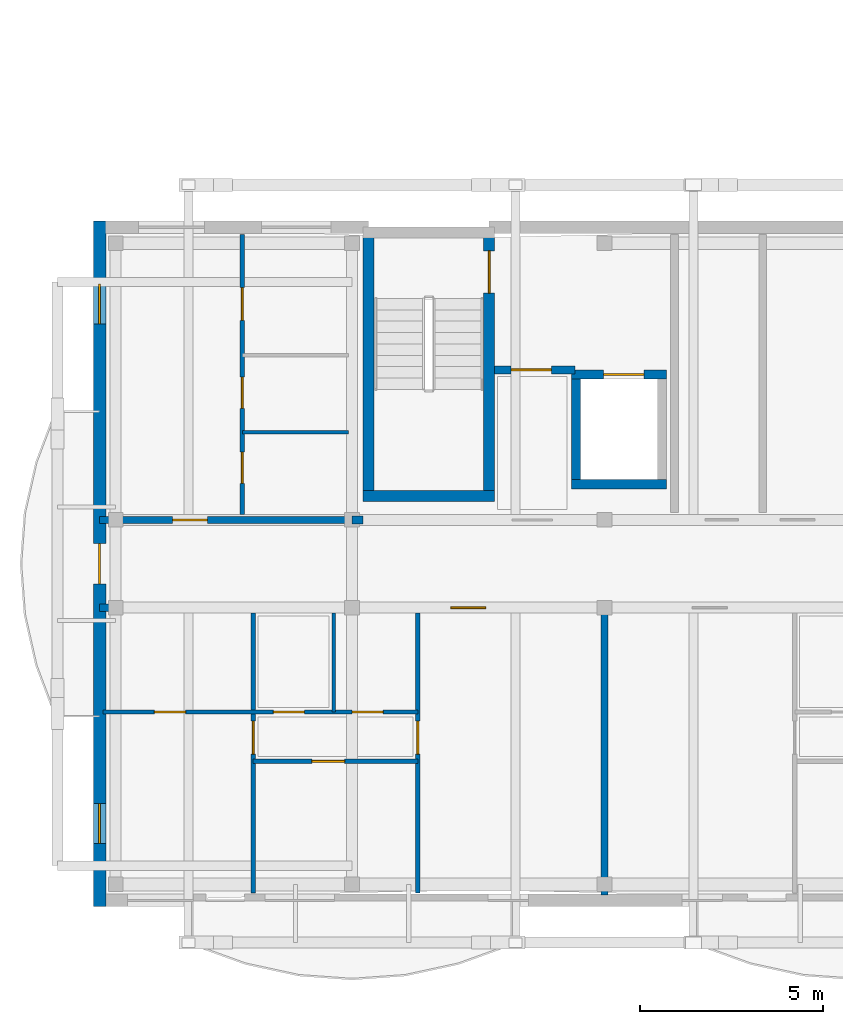
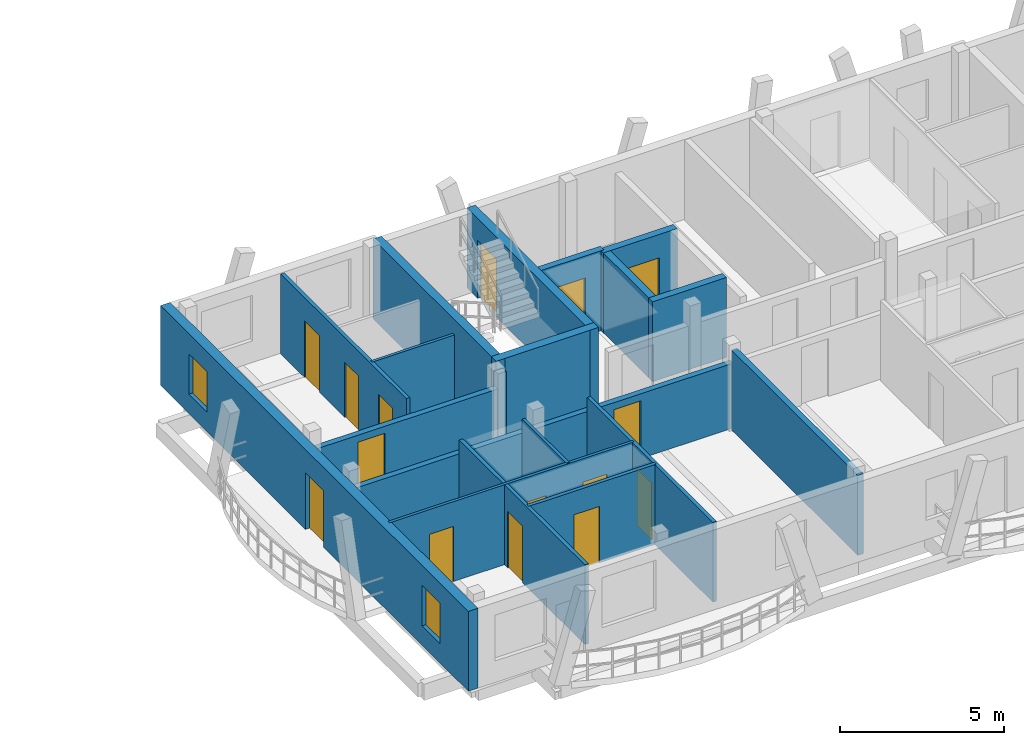
# One storey, part 6 of 18: 19 walls, 15 doors, 2 windows, 17 openings.
"""IFC4 building model written with IfcOpenShell, lengths in metres."""

from ifc_helpers import new_model, si_unit, direction, frame, frame_2d, origin, origin_with_axes, place, context, subcontext, project, spatial, rectangle, extrude, material, layer, layer_set, type_object, element, fill, save


model = new_model("IFC4")

# Units and contexts
model_context = context("Model", 3, precision=1e-05, world=origin(), true_north=direction((0.0, 1.0)))
body_context = subcontext(model_context, "Body", "Model", "MODEL_VIEW")
ifc_project = project(units=[si_unit("LENGTHUNIT", "METRE"), si_unit("AREAUNIT", "SQUARE_METRE"), si_unit("VOLUMEUNIT", "CUBIC_METRE"), si_unit("PLANEANGLEUNIT", "RADIAN"), si_unit("MASSUNIT", "GRAM", prefix="KILO")], contexts=[model_context])

# Site, building, storey
site_placement = place(None, origin())
site = spatial("IfcSite", under=ifc_project, at=site_placement, CompositionType="ELEMENT")
building_placement = place(site_placement, origin())
building = spatial("IfcBuilding", under=site, at=building_placement, Name="Zavelmont Quarter", CompositionType="ELEMENT")
storey_placement = place(building_placement, frame((0.0, 0.0, 40.0)))
storey = spatial("IfcBuildingStorey", under=building, at=storey_placement, Name="L12", CompositionType="ELEMENT", Elevation=40.0)

# Wall, openings, door, windows
ifc_material_1 = material(Name="Natural Belgian limestone", Category="masonry")
ifc_layer_1 = layer(ifc_material_1, 0.340087890625)
ifc_layer_set_1 = layer_set([ifc_layer_1], Name="Natural Belgian limestone")
wall_type_1 = type_object("IfcWallType", Name="EW03", PredefinedType="STANDARD", material=ifc_layer_set_1)
wall_1_placement = place(storey_placement, frame((0.0, -0.169921875, 0.0), z_axis=(0.0, 0.0, 1.0), x_axis=(0.0, 1.0, 0.0)))
wall_1 = element("IfcWall", 1, at=wall_1_placement, inside=storey, type_object=wall_type_1, Name="L12 exterior limestone wall EW03", PredefinedType="STANDARD", context=body_context, shape_type="SweptSolid", body=[
    extrude(rectangle(XDim=18.739990234375, YDim=0.340087890625, at=frame_2d((9.3701171875, 0.0))), origin(), (0.0, 0.0, 1.0), 2.969970703125),
])
opening_1_placement = place(wall_1_placement, frame((8.820068359375, 0.0, 0.0)))
opening_1 = element("IfcOpeningElement", 2, at=opening_1_placement, cuts=wall_1, Name="Opening DR04B", PredefinedType="OPENING", context=body_context, shape_type="SweptSolid", body=[
    extrude(rectangle(XDim=1.10009765625, YDim=2.10009765625, at=frame_2d((0.550048828125, 1.050048828125))), frame((0.0, 0.18212890625, 0.0), z_axis=(0.0, -1.0, 0.0), x_axis=(1.0, 0.0, 0.0)), (0.0, 0.0, 1.0), 0.364013671875),
])
opening_2_placement = place(wall_1_placement, frame((1.719970703125, 0.0, 0.719970703125)))
opening_2 = element("IfcOpeningElement", 3, at=opening_2_placement, cuts=wall_1, Name="Opening WN09", PredefinedType="OPENING", context=body_context, shape_type="SweptSolid", body=[
    extrude(rectangle(XDim=1.10009765625, YDim=1.5, at=frame_2d((0.550048828125, 0.75))), frame((0.0, 0.18212890625, 0.0), z_axis=(0.0, -1.0, 0.0), x_axis=(1.0, 0.0, 0.0)), (0.0, 0.0, 1.0), 0.364013671875),
])
opening_3_placement = place(wall_1_placement, frame((15.919921875, 0.0, 0.719970703125)))
opening_3 = element("IfcOpeningElement", 4, at=opening_3_placement, cuts=wall_1, Name="Opening WN09", PredefinedType="OPENING", context=body_context, shape_type="SweptSolid", body=[
    extrude(rectangle(XDim=1.10009765625, YDim=1.5, at=frame_2d((0.550048828125, 0.75))), frame((0.0, 0.18212890625, 0.0), z_axis=(0.0, -1.0, 0.0), x_axis=(1.0, 0.0, 0.0)), (0.0, 0.0, 1.0), 0.364013671875),
])
ifc_material_2 = material(Name="Thermally broken aluminium and double safety glass", Category="aluminium")
door_type_1 = type_object("IfcDoorType", Name="DR04B", OperationType="NOTDEFINED", PredefinedType="DOOR", material=ifc_material_2)
door_1_placement = place(opening_1_placement, frame((1.10009765625, 0.0, 0.0), z_axis=(0.0, 0.0, 1.0), x_axis=(-1.0, 0.0, 0.0)))
door_1 = element("IfcDoor", 5, at=door_1_placement, inside=storey, type_object=door_type_1, Name="Block A L12 terrace or vase balcony door", OperationType="SINGLE_SWING_RIGHT", OverallHeight=2.10009765625, OverallWidth=1.10009765625, PredefinedType="DOOR", context=body_context, shape_type="SweptSolid", body=[
    extrude(rectangle(XDim=1.10009765625, YDim=2.10009765625, at=frame_2d((0.550048828125, 1.050048828125))), frame((0.0, 0.02490234375, 0.0), z_axis=(0.0, -1.0, 0.0), x_axis=(1.0, 0.0, 0.0)), (0.0, 0.0, 1.0), 0.050048828125),
])
fill(opening_1, door_1)
ifc_material_3 = material(Name="Double low-E insulated glazing in thermally broken aluminium frame", Category="aluminium")
window_type = type_object("IfcWindowType", Name="WN09", PartitioningType="SINGLE_PANEL", PredefinedType="WINDOW", material=ifc_material_3)
window_1_placement = place(opening_2_placement, origin_with_axes())
window_1 = element("IfcWindow", 6, at=window_1_placement, inside=storey, type_object=window_type, Name="L12 window WN09", OverallHeight=1.5, OverallWidth=1.10009765625, PartitioningType="SINGLE_PANEL", PredefinedType="WINDOW", context=body_context, shape_type="SweptSolid", body=[
    extrude(rectangle(XDim=1.10009765625, YDim=1.5, at=frame_2d((0.550048828125, 0.75))), frame((0.0, 0.030029296875, 0.0), z_axis=(0.0, -1.0, 0.0), x_axis=(1.0, 0.0, 0.0)), (0.0, 0.0, 1.0), 0.06005859375),
])
fill(opening_2, window_1)
window_2_placement = place(opening_3_placement, origin_with_axes())
window_2 = element("IfcWindow", 7, at=window_2_placement, inside=storey, type_object=window_type, Name="L12 window WN09", OverallHeight=1.5, OverallWidth=1.10009765625, PartitioningType="SINGLE_PANEL", PredefinedType="WINDOW", context=body_context, shape_type="SweptSolid", body=[
    extrude(rectangle(XDim=1.10009765625, YDim=1.5, at=frame_2d((0.550048828125, 0.75))), frame((0.0, 0.030029296875, 0.0), z_axis=(0.0, -1.0, 0.0), x_axis=(1.0, 0.0, 0.0)), (0.0, 0.0, 1.0), 0.06005859375),
])
fill(opening_3, window_2)

# Wall
ifc_material_4 = material(Name="Calcium-silicate blockwork and acoustic plaster", Category="masonry")
ifc_layer_2 = layer(ifc_material_4, 0.199951171875)
ifc_layer_set_2 = layer_set([ifc_layer_2], Name="Calcium-silicate blockwork and acoustic plaster")
wall_type_2 = type_object("IfcWallType", Name="IW01", PredefinedType="PARTITIONING", material=ifc_layer_set_2)
wall_2_placement = place(storey_placement, frame((13.800048828125, 7.85009765625, 0.0), z_axis=(0.0, 0.0, 1.0), x_axis=(0.0, -1.0, 0.0)))
element("IfcWall", 8, at=wall_2_placement, inside=storey, type_object=wall_type_2, Name="L12 Inter-dwelling compartment wall IW01", PredefinedType="PARTITIONING", context=body_context, shape_type="SweptSolid", body=[
    extrude(rectangle(XDim=7.7001953125, YDim=0.199951171875, at=frame_2d((3.85009765625, 0.0))), origin(), (0.0, 0.0, 1.0), 2.969970703125),
])

# Wall, opening, door
wall_3_placement = place(storey_placement, frame((0.0, 8.0, 0.0), z_axis=(0.0, 0.0, 1.0), x_axis=(1.0, 0.0, 0.0)))
wall_3 = element("IfcWall", 9, at=wall_3_placement, inside=storey, type_object=wall_type_2, Name="L12 Corridor compartment wall IW01", PredefinedType="PARTITIONING", context=body_context, shape_type="SweptSolid", body=[
    extrude(rectangle(XDim=13.800048828125, YDim=0.199951171875, at=frame_2d((6.89990234375, 0.0))), origin(), (0.0, 0.0, 1.0), 2.409912109375),
])
opening_4_placement = place(wall_3_placement, frame((9.60009765625, 0.0, 0.0)))
opening_4 = element("IfcOpeningElement", 10, at=opening_4_placement, cuts=wall_3, Name="Opening DR02", PredefinedType="OPENING", context=body_context, shape_type="SweptSolid", body=[
    extrude(rectangle(XDim=0.949951171875, YDim=2.14990234375, at=frame_2d((0.47509765625, 1.074951171875))), frame((0.0, 0.11181640625, 0.0), z_axis=(0.0, -1.0, 0.0), x_axis=(1.0, 0.0, 0.0)), (0.0, 0.0, 1.0), 0.223876953125),
])
ifc_material_5 = material(Name="Solid-core oak fire leaf in steel frame", Category="steel")
door_type_2 = type_object("IfcDoorType", Name="DR02", OperationType="NOTDEFINED", PredefinedType="DOOR", material=ifc_material_5)
door_2_placement = place(opening_4_placement, frame((0.949951171875, 0.0, 0.0), z_axis=(0.0, 0.0, 1.0), x_axis=(-1.0, 0.0, 0.0)))
door_2 = element("IfcDoor", 11, at=door_2_placement, inside=storey, type_object=door_type_2, Name="L12 door DR02", OperationType="SINGLE_SWING_RIGHT", OverallHeight=2.14990234375, OverallWidth=0.949951171875, PredefinedType="DOOR", context=body_context, shape_type="SweptSolid", body=[
    extrude(rectangle(XDim=0.949951171875, YDim=2.14990234375, at=frame_2d((0.47509765625, 1.074951171875))), frame((0.0, 0.02490234375, 0.0), z_axis=(0.0, -1.0, 0.0), x_axis=(1.0, 0.0, 0.0)), (0.0, 0.0, 1.0), 0.050048828125),
])
fill(opening_4, door_2)

wall_4_placement = place(storey_placement, frame((0.0, 10.39990234375, 0.0), z_axis=(0.0, 0.0, 1.0), x_axis=(1.0, 0.0, 0.0)))
wall_4 = element("IfcWall", 12, at=wall_4_placement, inside=storey, type_object=wall_type_2, Name="L12 Corridor compartment wall IW01", PredefinedType="PARTITIONING", context=body_context, shape_type="SweptSolid", body=[
    extrude(rectangle(XDim=6.89990234375, YDim=0.199951171875, at=frame_2d((3.449951171875, 0.0))), origin(), (0.0, 0.0, 1.0), 2.409912109375),
])
opening_5_placement = place(wall_4_placement, frame((2.0, 0.0, 0.0)))
opening_5 = element("IfcOpeningElement", 13, at=opening_5_placement, cuts=wall_4, Name="Opening DR02", PredefinedType="OPENING", context=body_context, shape_type="SweptSolid", body=[
    extrude(rectangle(XDim=0.949951171875, YDim=2.14990234375, at=frame_2d((0.47509765625, 1.074951171875))), frame((0.0, 0.11181640625, 0.0), z_axis=(0.0, -1.0, 0.0), x_axis=(1.0, 0.0, 0.0)), (0.0, 0.0, 1.0), 0.223876953125),
])
door_3_placement = place(opening_5_placement, origin_with_axes())
door_3 = element("IfcDoor", 14, at=door_3_placement, inside=storey, type_object=door_type_2, Name="L12 door DR02", OperationType="SINGLE_SWING_LEFT", OverallHeight=2.14990234375, OverallWidth=0.949951171875, PredefinedType="DOOR", context=body_context, shape_type="SweptSolid", body=[
    extrude(rectangle(XDim=0.949951171875, YDim=2.14990234375, at=frame_2d((0.47509765625, 1.074951171875))), frame((0.0, 0.02490234375, 0.0), z_axis=(0.0, -1.0, 0.0), x_axis=(1.0, 0.0, 0.0)), (0.0, 0.0, 1.0), 0.050048828125),
])
fill(opening_5, door_3)

ifc_material_6 = material(Name="Reinforced masonry fire compartment wall", Category="masonry")
ifc_layer_3 = layer(ifc_material_6, 0.22509765625)
ifc_layer_set_3 = layer_set([ifc_layer_3], Name="Reinforced masonry fire compartment wall")
wall_type_3 = type_object("IfcWallType", Name="IW02", PredefinedType="PARTITIONING", material=ifc_layer_set_3)
wall_5_placement = place(storey_placement, frame((10.800048828125, 14.5, 0.0), z_axis=(0.0, 0.0, 1.0), x_axis=(1.0, 0.0, 0.0)))
wall_5 = element("IfcWall", 15, at=wall_5_placement, inside=storey, type_object=wall_type_3, Name="L12 Firefighting lobby threshold wall IW02", PredefinedType="PARTITIONING", context=body_context, shape_type="SweptSolid", body=[
    extrude(rectangle(XDim=2.199951171875, YDim=0.22509765625, at=frame_2d((1.10009765625, 0.0))), origin(), (0.0, 0.0, 1.0), 2.969970703125),
])
opening_6_placement = place(wall_5_placement, frame((0.449951171875, 0.0, 0.0)))
opening_6 = element("IfcOpeningElement", 16, at=opening_6_placement, cuts=wall_5, Name="Opening DR10", PredefinedType="OPENING", context=body_context, shape_type="SweptSolid", body=[
    extrude(rectangle(XDim=1.10009765625, YDim=2.14990234375, at=frame_2d((0.550048828125, 1.074951171875))), frame((0.0, 0.12451171875, 0.0), z_axis=(0.0, -1.0, 0.0), x_axis=(1.0, 0.0, 0.0)), (0.0, 0.0, 1.0), 0.2490234375),
])
ifc_material_7 = material(Name="Painted steel lobby fire door", Category="steel")
door_type_3 = type_object("IfcDoorType", Name="DR10", OperationType="NOTDEFINED", PredefinedType="DOOR", material=ifc_material_7)
door_4_placement = place(opening_6_placement, origin_with_axes())
door_4 = element("IfcDoor", 17, at=door_4_placement, inside=storey, type_object=door_type_3, Name="Firefighting lobby fire door", OperationType="SINGLE_SWING_RIGHT", OverallHeight=2.14990234375, OverallWidth=1.10009765625, PredefinedType="DOOR", context=body_context, shape_type="SweptSolid", body=[
    extrude(rectangle(XDim=1.10009765625, YDim=2.14990234375, at=frame_2d((0.550048828125, 1.074951171875))), frame((0.0, 0.02490234375, 0.0), z_axis=(0.0, -1.0, 0.0), x_axis=(1.0, 0.0, 0.0)), (0.0, 0.0, 1.0), 0.050048828125),
])
fill(opening_6, door_4)

# Wall
wall_6_placement = place(storey_placement, frame((6.89990234375, 10.39990234375, 0.0), z_axis=(0.0, 0.0, 1.0), x_axis=(1.0, 0.0, 0.0)))
element("IfcWall", 18, at=wall_6_placement, inside=storey, type_object=wall_type_3, Name="L12 Core corridor wall IW02", PredefinedType="PARTITIONING", context=body_context, shape_type="SweptSolid", body=[
    extrude(rectangle(XDim=0.300048828125, YDim=0.22509765625, at=frame_2d((0.14990234375, 0.0))), origin(), (0.0, 0.0, 1.0), 2.969970703125),
])

# Wall, opening, door
ifc_material_8 = material(Name="Double gypsum board on acoustic steel stud", Category="steel")
ifc_layer_4 = layer(ifc_material_8, 0.125)
ifc_layer_set_4 = layer_set([ifc_layer_4], Name="Double gypsum board on acoustic steel stud")
wall_type_4 = type_object("IfcWallType", Name="IW03", PredefinedType="PARTITIONING", material=ifc_layer_set_4)
wall_7_placement = place(storey_placement, frame((8.699951171875, 7.85009765625, 0.0), z_axis=(0.0, 0.0, 1.0), x_axis=(0.0, -1.0, 0.0)))
wall_7 = element("IfcWall", 19, at=wall_7_placement, inside=storey, type_object=wall_type_4, Name="L12 Partition IW03", PredefinedType="PARTITIONING", context=body_context, shape_type="SweptSolid", body=[
    extrude(rectangle(XDim=7.650146484375, YDim=0.125, at=frame_2d((3.8251953125, 0.0))), origin(), (0.0, 0.0, 1.0), 2.969970703125),
])
opening_7_placement = place(wall_7_placement, frame((2.949951171875, 0.0, 0.0)))
opening_7 = element("IfcOpeningElement", 20, at=opening_7_placement, cuts=wall_7, Name="Opening DR05", PredefinedType="OPENING", context=body_context, shape_type="SweptSolid", body=[
    extrude(rectangle(XDim=0.89990234375, YDim=2.10009765625, at=frame_2d((0.449951171875, 1.050048828125))), frame((0.0, 0.074462890625, 0.0), z_axis=(0.0, -1.0, 0.0), x_axis=(1.0, 0.0, 0.0)), (0.0, 0.0, 1.0), 0.14892578125),
])
ifc_material_9 = material(Name="Engineered oak flush interior door")
door_type_4 = type_object("IfcDoorType", Name="DR05", OperationType="NOTDEFINED", PredefinedType="DOOR", material=ifc_material_9)
door_5_placement = place(opening_7_placement, frame((0.89990234375, 0.0, 0.0), z_axis=(0.0, 0.0, 1.0), x_axis=(-1.0, 0.0, 0.0)))
door_5 = element("IfcDoor", 21, at=door_5_placement, inside=storey, type_object=door_type_4, Name="L12 door DR05", OperationType="SINGLE_SWING_RIGHT", OverallHeight=2.10009765625, OverallWidth=0.89990234375, PredefinedType="DOOR", context=body_context, shape_type="SweptSolid", body=[
    extrude(rectangle(XDim=0.89990234375, YDim=2.10009765625, at=frame_2d((0.449951171875, 1.050048828125))), frame((0.0, 0.02490234375, 0.0), z_axis=(0.0, -1.0, 0.0), x_axis=(1.0, 0.0, 0.0)), (0.0, 0.0, 1.0), 0.050048828125),
])
fill(opening_7, door_5)

wall_8_placement = place(storey_placement, frame((4.199951171875, 7.85009765625, 0.0), z_axis=(0.0, 0.0, 1.0), x_axis=(0.0, -1.0, 0.0)))
wall_8 = element("IfcWall", 22, at=wall_8_placement, inside=storey, type_object=wall_type_4, Name="L12 Partition IW03", PredefinedType="PARTITIONING", context=body_context, shape_type="SweptSolid", body=[
    extrude(rectangle(XDim=7.650146484375, YDim=0.125, at=frame_2d((3.8251953125, 0.0))), origin(), (0.0, 0.0, 1.0), 2.969970703125),
])
opening_8_placement = place(wall_8_placement, frame((2.949951171875, 0.0, 0.0)))
opening_8 = element("IfcOpeningElement", 23, at=opening_8_placement, cuts=wall_8, Name="Opening DR05", PredefinedType="OPENING", context=body_context, shape_type="SweptSolid", body=[
    extrude(rectangle(XDim=0.89990234375, YDim=2.10009765625, at=frame_2d((0.449951171875, 1.050048828125))), frame((0.0, 0.074462890625, 0.0), z_axis=(0.0, -1.0, 0.0), x_axis=(1.0, 0.0, 0.0)), (0.0, 0.0, 1.0), 0.14892578125),
])
door_6_placement = place(opening_8_placement, origin_with_axes())
door_6 = element("IfcDoor", 24, at=door_6_placement, inside=storey, type_object=door_type_4, Name="L12 door DR05", OperationType="SINGLE_SWING_LEFT", OverallHeight=2.10009765625, OverallWidth=0.89990234375, PredefinedType="DOOR", context=body_context, shape_type="SweptSolid", body=[
    extrude(rectangle(XDim=0.89990234375, YDim=2.10009765625, at=frame_2d((0.449951171875, 1.050048828125))), frame((0.0, 0.02490234375, 0.0), z_axis=(0.0, -1.0, 0.0), x_axis=(1.0, 0.0, 0.0)), (0.0, 0.0, 1.0), 0.050048828125),
])
fill(opening_8, door_6)

wall_9_placement = place(storey_placement, frame((4.199951171875, 3.800048828125, 0.0), z_axis=(0.0, 0.0, 1.0), x_axis=(1.0, 0.0, 0.0)))
wall_9 = element("IfcWall", 25, at=wall_9_placement, inside=storey, type_object=wall_type_4, Name="L12 Partition IW03", PredefinedType="PARTITIONING", context=body_context, shape_type="SweptSolid", body=[
    extrude(rectangle(XDim=4.5, YDim=0.125, at=frame_2d((2.25, 0.0))), origin(), (0.0, 0.0, 1.0), 2.969970703125),
])
opening_9_placement = place(wall_9_placement, frame((1.60009765625, 0.0, 0.0)))
opening_9 = element("IfcOpeningElement", 26, at=opening_9_placement, cuts=wall_9, Name="Opening DR05", PredefinedType="OPENING", context=body_context, shape_type="SweptSolid", body=[
    extrude(rectangle(XDim=0.89990234375, YDim=2.10009765625, at=frame_2d((0.449951171875, 1.050048828125))), frame((0.0, 0.074462890625, 0.0), z_axis=(0.0, -1.0, 0.0), x_axis=(1.0, 0.0, 0.0)), (0.0, 0.0, 1.0), 0.14892578125),
])
door_7_placement = place(opening_9_placement, origin_with_axes())
door_7 = element("IfcDoor", 27, at=door_7_placement, inside=storey, type_object=door_type_4, Name="L12 door DR05", OperationType="SINGLE_SWING_LEFT", OverallHeight=2.10009765625, OverallWidth=0.89990234375, PredefinedType="DOOR", context=body_context, shape_type="SweptSolid", body=[
    extrude(rectangle(XDim=0.89990234375, YDim=2.10009765625, at=frame_2d((0.449951171875, 1.050048828125))), frame((0.0, 0.02490234375, 0.0), z_axis=(0.0, -1.0, 0.0), x_axis=(1.0, 0.0, 0.0)), (0.0, 0.0, 1.0), 0.050048828125),
])
fill(opening_9, door_7)

# Wall, openings, doors
wall_10_placement = place(storey_placement, frame((3.89990234375, 10.550048828125, 0.0), z_axis=(0.0, 0.0, 1.0), x_axis=(0.0, 1.0, 0.0)))
wall_10 = element("IfcWall", 28, at=wall_10_placement, inside=storey, type_object=wall_type_4, Name="L12 Partition IW03", PredefinedType="PARTITIONING", context=body_context, shape_type="SweptSolid", body=[
    extrude(rectangle(XDim=7.64990234375, YDim=0.125, at=frame_2d((3.824951171875, 0.0))), origin(), (0.0, 0.0, 1.0), 2.969970703125),
])
opening_10_placement = place(wall_10_placement, frame((0.85009765625, 0.0, 0.0)))
opening_10 = element("IfcOpeningElement", 29, at=opening_10_placement, cuts=wall_10, Name="Opening DR16", PredefinedType="OPENING", context=body_context, shape_type="SweptSolid", body=[
    extrude(rectangle(XDim=0.85009765625, YDim=2.10009765625, at=frame_2d((0.425048828125, 1.050048828125))), frame((0.0, 0.074462890625, 0.0), z_axis=(0.0, -1.0, 0.0), x_axis=(1.0, 0.0, 0.0)), (0.0, 0.0, 1.0), 0.14892578125),
])
opening_11_placement = place(wall_10_placement, frame((2.89990234375, 0.0, 0.0)))
opening_11 = element("IfcOpeningElement", 30, at=opening_11_placement, cuts=wall_10, Name="Opening DR06", PredefinedType="OPENING", context=body_context, shape_type="SweptSolid", body=[
    extrude(rectangle(XDim=0.85009765625, YDim=2.050048828125, at=frame_2d((0.425048828125, 1.02490234375))), frame((0.0, 0.074462890625, 0.0), z_axis=(0.0, -1.0, 0.0), x_axis=(1.0, 0.0, 0.0)), (0.0, 0.0, 1.0), 0.14892578125),
])
opening_12_placement = place(wall_10_placement, frame((5.300048828125, 0.0, 0.0)))
opening_12 = element("IfcOpeningElement", 31, at=opening_12_placement, cuts=wall_10, Name="Opening DR05", PredefinedType="OPENING", context=body_context, shape_type="SweptSolid", body=[
    extrude(rectangle(XDim=0.89990234375, YDim=2.10009765625, at=frame_2d((0.449951171875, 1.050048828125))), frame((0.0, 0.074462890625, 0.0), z_axis=(0.0, -1.0, 0.0), x_axis=(1.0, 0.0, 0.0)), (0.0, 0.0, 1.0), 0.14892578125),
])
door_8_placement = place(opening_12_placement, origin_with_axes())
door_8 = element("IfcDoor", 32, at=door_8_placement, inside=storey, type_object=door_type_4, Name="L12 door DR05", OperationType="SINGLE_SWING_LEFT", OverallHeight=2.10009765625, OverallWidth=0.89990234375, PredefinedType="DOOR", context=body_context, shape_type="SweptSolid", body=[
    extrude(rectangle(XDim=0.89990234375, YDim=2.10009765625, at=frame_2d((0.449951171875, 1.050048828125))), frame((0.0, 0.02490234375, 0.0), z_axis=(0.0, -1.0, 0.0), x_axis=(1.0, 0.0, 0.0)), (0.0, 0.0, 1.0), 0.050048828125),
])
fill(opening_12, door_8)
ifc_material_10 = material(Name="Moisture-resistant painted wet-room door")
door_type_5 = type_object("IfcDoorType", Name="DR06", OperationType="NOTDEFINED", PredefinedType="DOOR", material=ifc_material_10)
door_9_placement = place(opening_11_placement, frame((0.85009765625, 0.0, 0.0), z_axis=(0.0, 0.0, 1.0), x_axis=(-1.0, 0.0, 0.0)))
door_9 = element("IfcDoor", 33, at=door_9_placement, inside=storey, type_object=door_type_5, Name="L12 door DR06", OperationType="SINGLE_SWING_RIGHT", OverallHeight=2.050048828125, OverallWidth=0.85009765625, PredefinedType="DOOR", context=body_context, shape_type="SweptSolid", body=[
    extrude(rectangle(XDim=0.85009765625, YDim=2.050048828125, at=frame_2d((0.425048828125, 1.02490234375))), frame((0.0, 0.02490234375, 0.0), z_axis=(0.0, -1.0, 0.0), x_axis=(1.0, 0.0, 0.0)), (0.0, 0.0, 1.0), 0.050048828125),
])
fill(opening_11, door_9)
door_type_6 = type_object("IfcDoorType", Name="DR16", OperationType="NOTDEFINED", PredefinedType="DOOR", material=ifc_material_9)
door_10_placement = place(opening_10_placement, origin_with_axes())
door_10 = element("IfcDoor", 34, at=door_10_placement, inside=storey, type_object=door_type_6, Name="L12 door DR16", OperationType="SINGLE_SWING_LEFT", OverallHeight=2.10009765625, OverallWidth=0.85009765625, PredefinedType="DOOR", context=body_context, shape_type="SweptSolid", body=[
    extrude(rectangle(XDim=0.85009765625, YDim=2.10009765625, at=frame_2d((0.425048828125, 1.050048828125))), frame((0.0, 0.02490234375, 0.0), z_axis=(0.0, -1.0, 0.0), x_axis=(1.0, 0.0, 0.0)), (0.0, 0.0, 1.0), 0.050048828125),
])
fill(opening_10, door_10)

# Wall
ifc_material_11 = material(Name="Moisture-resistant gypsum board on steel stud", Category="steel")
ifc_layer_5 = layer(ifc_material_11, 0.10009765625)
ifc_layer_set_5 = layer_set([ifc_layer_5], Name="Moisture-resistant gypsum board on steel stud")
wall_type_5 = type_object("IfcWallType", Name="IW04", PredefinedType="PARTITIONING", material=ifc_layer_set_5)
wall_11_placement = place(storey_placement, frame((6.39990234375, 7.85009765625, 0.0), z_axis=(0.0, 0.0, 1.0), x_axis=(0.0, -1.0, 0.0)))
element("IfcWall", 35, at=wall_11_placement, inside=storey, type_object=wall_type_5, Name="L12 Partition IW04", PredefinedType="PARTITIONING", context=body_context, shape_type="SweptSolid", body=[
    extrude(rectangle(XDim=2.7001953125, YDim=0.10009765625, at=frame_2d((1.35009765625, 0.0))), origin(), (0.0, 0.0, 1.0), 2.969970703125),
])

# Wall, openings, doors
wall_12_placement = place(storey_placement, frame((0.10009765625, 5.14990234375, 0.0), z_axis=(0.0, 0.0, 1.0), x_axis=(1.0, 0.0, 0.0)))
wall_12 = element("IfcWall", 36, at=wall_12_placement, inside=storey, type_object=wall_type_5, Name="L12 Partition IW04", PredefinedType="PARTITIONING", context=body_context, shape_type="SweptSolid", body=[
    extrude(rectangle(XDim=8.599853515625, YDim=0.10009765625, at=frame_2d((4.2998046875, 0.0))), origin(), (0.0, 0.0, 1.0), 2.969970703125),
])
opening_13_placement = place(wall_12_placement, frame((1.39990234375, 0.0, 0.0)))
opening_13 = element("IfcOpeningElement", 37, at=opening_13_placement, cuts=wall_12, Name="Opening DR06", PredefinedType="OPENING", context=body_context, shape_type="SweptSolid", body=[
    extrude(rectangle(XDim=0.85009765625, YDim=2.050048828125, at=frame_2d((0.425048828125, 1.02490234375))), frame((0.0, 0.06201171875, 0.0), z_axis=(0.0, -1.0, 0.0), x_axis=(1.0, 0.0, 0.0)), (0.0, 0.0, 1.0), 0.1240234375),
])
opening_14_placement = place(wall_12_placement, frame((4.64990234375, 0.0, 0.0)))
opening_14 = element("IfcOpeningElement", 38, at=opening_14_placement, cuts=wall_12, Name="Opening DR06", PredefinedType="OPENING", context=body_context, shape_type="SweptSolid", body=[
    extrude(rectangle(XDim=0.85009765625, YDim=2.050048828125, at=frame_2d((0.425048828125, 1.02490234375))), frame((0.0, 0.06201171875, 0.0), z_axis=(0.0, -1.0, 0.0), x_axis=(1.0, 0.0, 0.0)), (0.0, 0.0, 1.0), 0.1240234375),
])
opening_15_placement = place(wall_12_placement, frame((6.800048828125, 0.0, 0.0)))
opening_15 = element("IfcOpeningElement", 39, at=opening_15_placement, cuts=wall_12, Name="Opening DR16", PredefinedType="OPENING", context=body_context, shape_type="SweptSolid", body=[
    extrude(rectangle(XDim=0.85009765625, YDim=2.10009765625, at=frame_2d((0.425048828125, 1.050048828125))), frame((0.0, 0.06201171875, 0.0), z_axis=(0.0, -1.0, 0.0), x_axis=(1.0, 0.0, 0.0)), (0.0, 0.0, 1.0), 0.1240234375),
])
door_11_placement = place(opening_13_placement, frame((0.85009765625, 0.0, 0.0), z_axis=(0.0, 0.0, 1.0), x_axis=(-1.0, 0.0, 0.0)))
door_11 = element("IfcDoor", 40, at=door_11_placement, inside=storey, type_object=door_type_5, Name="L12 door DR06", OperationType="SINGLE_SWING_RIGHT", OverallHeight=2.050048828125, OverallWidth=0.85009765625, PredefinedType="DOOR", context=body_context, shape_type="SweptSolid", body=[
    extrude(rectangle(XDim=0.85009765625, YDim=2.050048828125, at=frame_2d((0.425048828125, 1.02490234375))), frame((0.0, 0.02490234375, 0.0), z_axis=(0.0, -1.0, 0.0), x_axis=(1.0, 0.0, 0.0)), (0.0, 0.0, 1.0), 0.050048828125),
])
fill(opening_13, door_11)
door_12_placement = place(opening_14_placement, origin_with_axes())
door_12 = element("IfcDoor", 41, at=door_12_placement, inside=storey, type_object=door_type_5, Name="L12 door DR06", OperationType="SINGLE_SWING_LEFT", OverallHeight=2.050048828125, OverallWidth=0.85009765625, PredefinedType="DOOR", context=body_context, shape_type="SweptSolid", body=[
    extrude(rectangle(XDim=0.85009765625, YDim=2.050048828125, at=frame_2d((0.425048828125, 1.02490234375))), frame((0.0, 0.02490234375, 0.0), z_axis=(0.0, -1.0, 0.0), x_axis=(1.0, 0.0, 0.0)), (0.0, 0.0, 1.0), 0.050048828125),
])
fill(opening_14, door_12)
door_13_placement = place(opening_15_placement, frame((0.85009765625, 0.0, 0.0), z_axis=(0.0, 0.0, 1.0), x_axis=(-1.0, 0.0, 0.0)))
door_13 = element("IfcDoor", 42, at=door_13_placement, inside=storey, type_object=door_type_6, Name="L12 door DR16", OperationType="SINGLE_SWING_RIGHT", OverallHeight=2.10009765625, OverallWidth=0.85009765625, PredefinedType="DOOR", context=body_context, shape_type="SweptSolid", body=[
    extrude(rectangle(XDim=0.85009765625, YDim=2.10009765625, at=frame_2d((0.425048828125, 1.050048828125))), frame((0.0, 0.02490234375, 0.0), z_axis=(0.0, -1.0, 0.0), x_axis=(1.0, 0.0, 0.0)), (0.0, 0.0, 1.0), 0.050048828125),
])
fill(opening_15, door_13)

# Walls
wall_13_placement = place(storey_placement, frame((3.89990234375, 12.800048828125, 0.0), z_axis=(0.0, 0.0, 1.0), x_axis=(1.0, 0.0, 0.0)))
element("IfcWall", 43, at=wall_13_placement, inside=storey, type_object=wall_type_5, Name="L12 Partition IW04", PredefinedType="PARTITIONING", context=body_context, shape_type="SweptSolid", body=[
    extrude(rectangle(XDim=2.900146484375, YDim=0.10009765625, at=frame_2d((1.4501953125, 0.0))), origin(), (0.0, 0.0, 1.0), 2.969970703125),
])
ifc_material_12 = material(Name="Concrete C40/50", Category="concrete")
ifc_layer_6 = layer(ifc_material_12, 0.300048828125)
ifc_layer_set_6 = layer_set([ifc_layer_6], Name="Concrete C40/50")
wall_type_6 = type_object("IfcWallType", Name="SW01", PredefinedType="SHEAR", material=ifc_layer_set_6)
wall_14_placement = place(storey_placement, frame((7.199951171875, 11.050048828125, 0.0), z_axis=(0.0, 0.0, 1.0), x_axis=(1.0, 0.0, 0.0)))
element("IfcWall", 44, at=wall_14_placement, inside=storey, type_object=wall_type_6, Name="L12 ST01 corridor shear wall SW01", PredefinedType="SHEAR", context=body_context, shape_type="SweptSolid", body=[
    extrude(rectangle(XDim=3.60009765625, YDim=0.300048828125, at=frame_2d((1.800048828125, 0.0))), origin(), (0.0, 0.0, 1.0), 2.969970703125),
])
wall_15_placement = place(storey_placement, frame((7.35009765625, 10.89990234375, 0.0), z_axis=(0.0, 0.0, 1.0), x_axis=(0.0, 1.0, 0.0)))
element("IfcWall", 45, at=wall_15_placement, inside=storey, type_object=wall_type_6, Name="L12 ST01 west shear wall SW01", PredefinedType="SHEAR", context=body_context, shape_type="SweptSolid", body=[
    extrude(rectangle(XDim=7.5, YDim=0.300048828125, at=frame_2d((3.75, 0.0))), origin(), (0.0, 0.0, 1.0), 2.969970703125),
])

# Wall, opening, door
wall_16_placement = place(storey_placement, frame((10.64990234375, 10.89990234375, 0.0), z_axis=(0.0, 0.0, 1.0), x_axis=(0.0, 1.0, 0.0)))
wall_16 = element("IfcWall", 46, at=wall_16_placement, inside=storey, type_object=wall_type_6, Name="L12 ST01 lobby shear wall SW01", PredefinedType="SHEAR", context=body_context, shape_type="SweptSolid", body=[
    extrude(rectangle(XDim=7.5, YDim=0.300048828125, at=frame_2d((3.75, 0.0))), origin(), (0.0, 0.0, 1.0), 2.969970703125),
])
opening_16_placement = place(wall_16_placement, frame((5.699951171875, 0.0, 0.0)))
opening_16 = element("IfcOpeningElement", 47, at=opening_16_placement, cuts=wall_16, Name="Opening DR09", PredefinedType="OPENING", context=body_context, shape_type="SweptSolid", body=[
    extrude(rectangle(XDim=1.14990234375, YDim=2.14990234375, at=frame_2d((0.574951171875, 1.074951171875))), frame((0.0, 0.162109375, 0.0), z_axis=(0.0, -1.0, 0.0), x_axis=(1.0, 0.0, 0.0)), (0.0, 0.0, 1.0), 0.323974609375),
])
ifc_material_13 = material(Name="Painted steel stair-core fire door", Category="steel")
door_type_7 = type_object("IfcDoorType", Name="DR09", OperationType="NOTDEFINED", PredefinedType="DOOR", material=ifc_material_13)
door_14_placement = place(opening_16_placement, origin_with_axes())
door_14 = element("IfcDoor", 48, at=door_14_placement, inside=storey, type_object=door_type_7, Name="ST01 protected stair door", OperationType="SINGLE_SWING_LEFT", OverallHeight=2.14990234375, OverallWidth=1.14990234375, PredefinedType="DOOR", context=body_context, shape_type="SweptSolid", body=[
    extrude(rectangle(XDim=1.14990234375, YDim=2.14990234375, at=frame_2d((0.574951171875, 1.074951171875))), frame((0.0, 0.02490234375, 0.0), z_axis=(0.0, -1.0, 0.0), x_axis=(1.0, 0.0, 0.0)), (0.0, 0.0, 1.0), 0.050048828125),
])
fill(opening_16, door_14)

ifc_layer_7 = layer(ifc_material_12, 0.25)
ifc_layer_set_7 = layer_set([ifc_layer_7], Name="Concrete C40/50")
wall_type_7 = type_object("IfcWallType", Name="SW02", PredefinedType="SHEAR", material=ifc_layer_set_7)
wall_17_placement = place(storey_placement, frame((12.89990234375, 14.375, 0.0), z_axis=(0.0, 0.0, 1.0), x_axis=(1.0, 0.0, 0.0)))
wall_17 = element("IfcWall", 49, at=wall_17_placement, inside=storey, type_object=wall_type_7, Name="L12 Lift FL01 landing shaft wall SW02", PredefinedType="SHEAR", context=body_context, shape_type="SweptSolid", body=[
    extrude(rectangle(XDim=2.60009765625, YDim=0.25, at=frame_2d((1.300048828125, 0.0))), origin(), (0.0, 0.0, 1.0), 2.969970703125),
])
opening_17_placement = place(wall_17_placement, frame((0.875, 0.0, 0.0)))
opening_17 = element("IfcOpeningElement", 50, at=opening_17_placement, cuts=wall_17, Name="Opening LD02", PredefinedType="OPENING", context=body_context, shape_type="SweptSolid", body=[
    extrude(rectangle(XDim=1.10009765625, YDim=2.10009765625, at=frame_2d((0.550048828125, 1.050048828125))), frame((0.0, 0.136962890625, 0.0), z_axis=(0.0, -1.0, 0.0), x_axis=(1.0, 0.0, 0.0)), (0.0, 0.0, 1.0), 0.27392578125),
])
ifc_material_14 = material(Name="Brushed stainless-steel firefighting lift landing door", Category="steel")
door_type_8 = type_object("IfcDoorType", Name="LD02", OperationType="SLIDING_TO_LEFT", PredefinedType="DOOR", material=ifc_material_14)
door_15_placement = place(opening_17_placement, origin_with_axes())
door_15 = element("IfcDoor", 51, at=door_15_placement, inside=storey, type_object=door_type_8, Name="Lift FL01 sliding landing door", OperationType="SLIDING_TO_LEFT", OverallHeight=2.10009765625, OverallWidth=1.10009765625, PredefinedType="DOOR", context=body_context, shape_type="SweptSolid", body=[
    extrude(rectangle(XDim=1.10009765625, YDim=2.10009765625, at=frame_2d((0.550048828125, 1.050048828125))), frame((0.0, 0.02490234375, 0.0), z_axis=(0.0, -1.0, 0.0), x_axis=(1.0, 0.0, 0.0)), (0.0, 0.0, 1.0), 0.050048828125),
])
fill(opening_17, door_15)

# Walls
wall_18_placement = place(storey_placement, frame((12.89990234375, 11.375, 0.0), z_axis=(0.0, 0.0, 1.0), x_axis=(1.0, 0.0, 0.0)))
element("IfcWall", 52, at=wall_18_placement, inside=storey, type_object=wall_type_7, Name="L12 Lift FL01 back shaft wall SW02", PredefinedType="SHEAR", context=body_context, shape_type="SweptSolid", body=[
    extrude(rectangle(XDim=2.60009765625, YDim=0.25, at=frame_2d((1.300048828125, 0.0))), origin(), (0.0, 0.0, 1.0), 2.969970703125),
])
wall_19_placement = place(storey_placement, frame((13.02490234375, 11.25, 0.0), z_axis=(0.0, 0.0, 1.0), x_axis=(0.0, 1.0, 0.0)))
element("IfcWall", 53, at=wall_19_placement, inside=storey, type_object=wall_type_7, Name="L12 Lift FL01 west shaft wall SW02", PredefinedType="SHEAR", context=body_context, shape_type="SweptSolid", body=[
    extrude(rectangle(XDim=3.25, YDim=0.25, at=frame_2d((1.625, 0.0))), origin(), (0.0, 0.0, 1.0), 2.969970703125),
])

save(model, "model.ifc")
